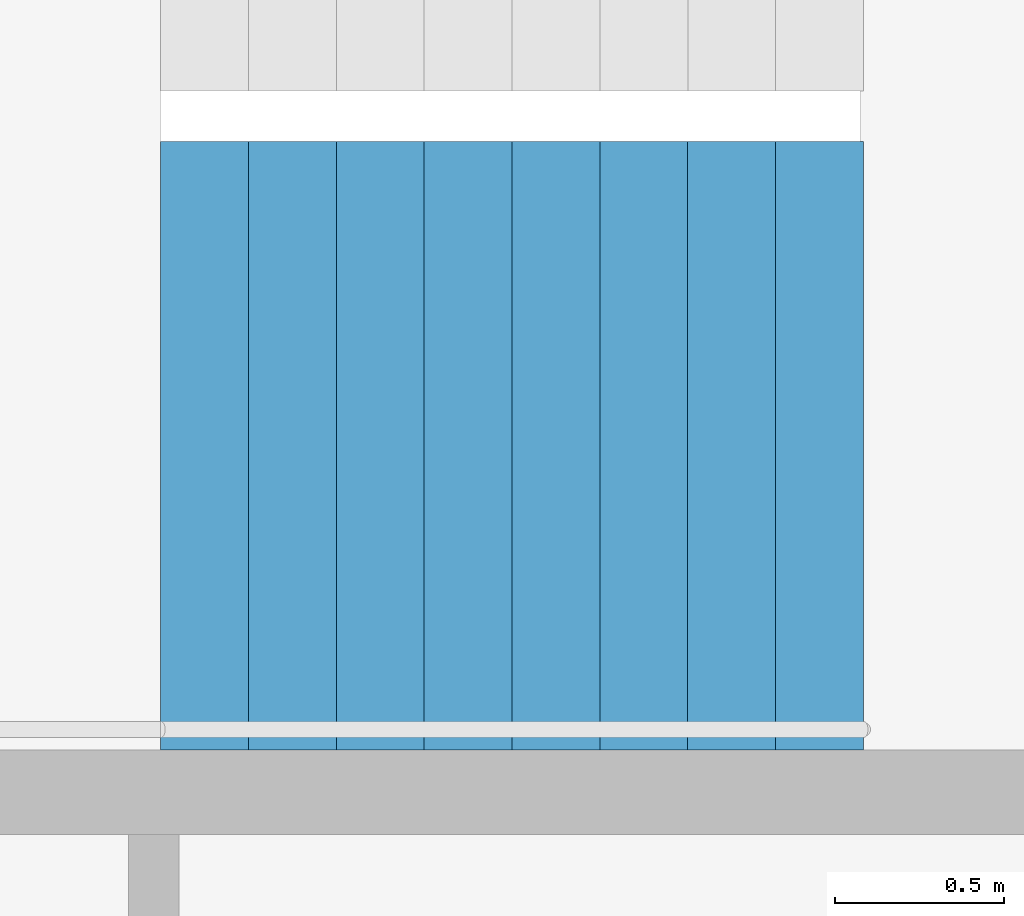
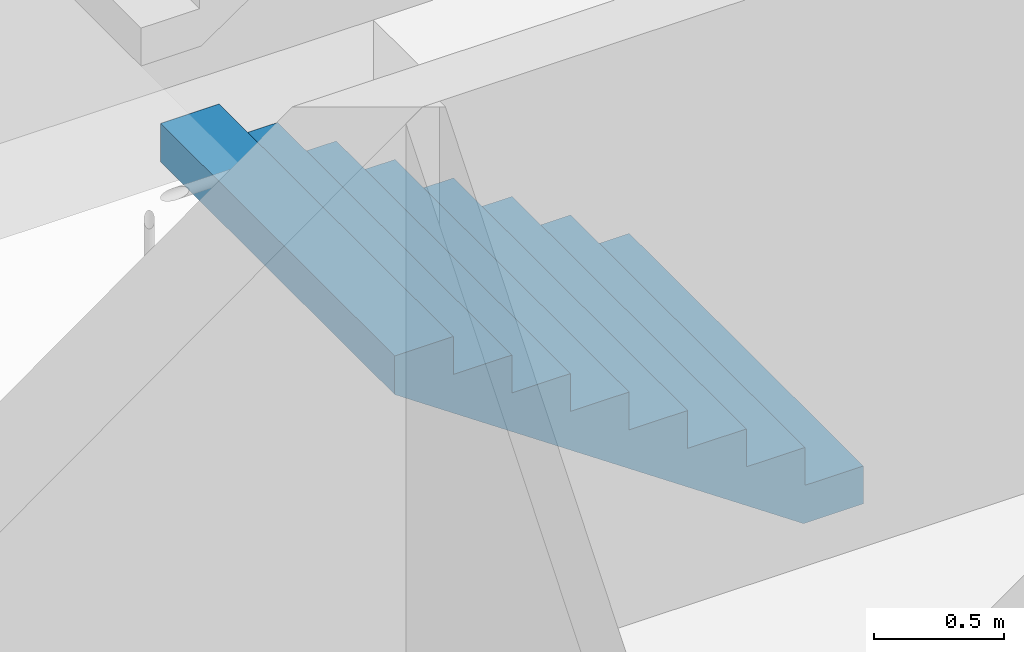
# One storey, part 24 of 26: 1 stair flight, 1 element without a shape of its own.
"""IFC4 building model written with IfcOpenShell, lengths in metres."""

from ifc_helpers import new_model, si_unit, direction, frame, origin, place, context, subcontext, project, spatial, triangles, material, type_object, element, aggregate, save


model = new_model("IFC4")

# Units and contexts
model_context = context("Model", 3, precision=1e-05, world=origin(), true_north=direction((0.0, 1.0)))
body_context = subcontext(model_context, "Body", "Model", "MODEL_VIEW")
ifc_project = project(units=[si_unit("LENGTHUNIT", "METRE"), si_unit("AREAUNIT", "SQUARE_METRE"), si_unit("VOLUMEUNIT", "CUBIC_METRE"), si_unit("PLANEANGLEUNIT", "RADIAN"), si_unit("MASSUNIT", "GRAM", prefix="KILO")], contexts=[model_context])

# Site, building, storey
site_placement = place(None, origin())
site = spatial("IfcSite", under=ifc_project, at=site_placement, CompositionType="ELEMENT")
building_placement = place(site_placement, origin())
building = spatial("IfcBuilding", under=site, at=building_placement, Name="Hakoniwa Tower and Hamabe Station Hall", CompositionType="ELEMENT")
storey_placement = place(building_placement, frame((0.0, 0.0, 251.800048828125)))
storey = spatial("IfcBuildingStorey", under=building, at=storey_placement, Name="L71", CompositionType="ELEMENT", Elevation=251.800048828125)

# Stair, stair flight
ifc_material_1 = material(Name="Concrete C40", Category="concrete")
stair_type = type_object("IfcStairType", Name="ESCAPE STAIR 1800", PredefinedType="HALF_TURN_STAIR", material=ifc_material_1)
stair_placement = place(storey_placement, origin())
stair = element("IfcStair", 1, at=stair_placement, inside=storey, type_object=stair_type, Name="Escape stair ST-3 L71", PredefinedType="HALF_TURN_STAIR")
ifc_material_2 = material(Name="Concrete C40", Category="concrete")
stair_flight_type = type_object("IfcStairFlightType", Name="STAIR FLIGHT 1800", PredefinedType="STRAIGHT", material=ifc_material_2)
stair_flight_placement = place(storey_placement, frame((24.39990234375, 4.64990234375, 0.0), z_axis=(0.0, 0.0, 1.0), x_axis=(-1.0, 0.0, 0.0)))
stair_flight = element("IfcStairFlight", 2, at=stair_flight_placement, type_object=stair_flight_type, Name="ST-3 flight 1", NumberOfRisers=9, NumberOfTreads=8, PredefinedType="STRAIGHT", RiserHeight=0.177777778, TreadLength=0.26, context=body_context, shape_type="Tessellation", body=[
    triangles([(0.0, 0.89990234375, 0.0), (0.260009765625, 0.89990234375, 0.0), (0.265625, 0.89990234375, 0.0), (0.52001953125, 0.89990234375, 0.174072265625), (0.780029296875, 0.89990234375, 0.351806640625), (1.0400390625, 0.89990234375, 0.529541015625), (1.300048828125, 0.89990234375, 0.707275390625), (1.56005859375, 0.89990234375, 0.885009765625), (1.820068359375, 0.89990234375, 1.062744140625), (2.080078125, 0.89990234375, 1.24072265625), (2.080078125, 0.89990234375, 1.422119140625), (1.820068359375, 0.89990234375, 1.422119140625), (1.820068359375, 0.89990234375, 1.244384765625), (1.56005859375, 0.89990234375, 1.244384765625), (1.56005859375, 0.89990234375, 1.066650390625), (1.300048828125, 0.89990234375, 1.066650390625), (1.300048828125, 0.89990234375, 0.888916015625), (1.0400390625, 0.89990234375, 0.888916015625), (1.0400390625, 0.89990234375, 0.711181640625), (0.780029296875, 0.89990234375, 0.711181640625), (0.780029296875, 0.89990234375, 0.533447265625), (0.52001953125, 0.89990234375, 0.533447265625), (0.52001953125, 0.89990234375, 0.35546875), (0.265625, 0.89990234375, 0.35546875), (0.260009765625, 0.89990234375, 0.35546875), (0.260009765625, 0.89990234375, 0.177734375), (0.0, 0.89990234375, 0.177734375), (0.0, 0.06005859375, 0.0), (0.260009765625, 0.06005859375, 0.0), (0.265625, 0.06005859375, 0.0), (0.52001953125, 0.06005859375, 0.174072265625), (0.780029296875, 0.06005859375, 0.351806640625), (1.0400390625, 0.06005859375, 0.529541015625), (1.300048828125, 0.06005859375, 0.707275390625), (1.56005859375, 0.06005859375, 0.885009765625), (1.820068359375, 0.06005859375, 1.062744140625), (2.080078125, 0.06005859375, 1.24072265625), (2.080078125, 0.06005859375, 1.422119140625), (1.820068359375, 0.06005859375, 1.422119140625), (1.820068359375, 0.06005859375, 1.244384765625), (1.56005859375, 0.06005859375, 1.244384765625), (1.56005859375, 0.06005859375, 1.066650390625), (1.300048828125, 0.06005859375, 1.066650390625), (1.300048828125, 0.06005859375, 0.888916015625), (1.0400390625, 0.06005859375, 0.888916015625), (1.0400390625, 0.06005859375, 0.711181640625), (0.780029296875, 0.06005859375, 0.711181640625), (0.780029296875, 0.06005859375, 0.533447265625), (0.52001953125, 0.06005859375, 0.533447265625), (0.52001953125, 0.06005859375, 0.35546875), (0.265625, 0.06005859375, 0.35546875), (0.260009765625, 0.06005859375, 0.35546875), (0.260009765625, 0.06005859375, 0.177734375), (0.0, 0.06005859375, 0.177734375), (0.0, 0.04296875, 0.0), (0.260009765625, 0.04296875, 0.0), (0.265625, 0.04296875, 0.0), (0.52001953125, 0.04296875, 0.174072265625), (0.780029296875, 0.04296875, 0.351806640625), (1.0400390625, 0.04296875, 0.529541015625), (1.300048828125, 0.04296875, 0.707275390625), (1.56005859375, 0.04296875, 0.885009765625), (1.820068359375, 0.04296875, 1.062744140625), (2.080078125, 0.04296875, 1.24072265625), (2.080078125, 0.04296875, 1.422119140625), (1.820068359375, 0.04296875, 1.422119140625), (1.820068359375, 0.04296875, 1.244384765625), (1.56005859375, 0.04296875, 1.244384765625), (1.56005859375, 0.04296875, 1.066650390625), (1.300048828125, 0.04296875, 1.066650390625), (1.300048828125, 0.04296875, 0.888916015625), (1.0400390625, 0.04296875, 0.888916015625), (1.0400390625, 0.04296875, 0.711181640625), (0.780029296875, 0.04296875, 0.711181640625), (0.780029296875, 0.04296875, 0.533447265625), (0.52001953125, 0.04296875, 0.533447265625), (0.52001953125, 0.04296875, 0.35546875), (0.265625, 0.04296875, 0.35546875), (0.260009765625, 0.04296875, 0.35546875), (0.260009765625, 0.04296875, 0.177734375), (0.0, 0.04296875, 0.177734375), (0.0, 0.025634765625, 0.0), (0.260009765625, 0.025634765625, 0.0), (0.265625, 0.025634765625, 0.0), (0.52001953125, 0.025634765625, 0.174072265625), (0.780029296875, 0.025634765625, 0.351806640625), (1.0400390625, 0.025634765625, 0.529541015625), (1.300048828125, 0.025634765625, 0.707275390625), (1.56005859375, 0.025634765625, 0.885009765625), (1.820068359375, 0.025634765625, 1.062744140625), (2.080078125, 0.025634765625, 1.24072265625), (2.080078125, 0.025634765625, 1.422119140625), (1.820068359375, 0.025634765625, 1.422119140625), (1.820068359375, 0.025634765625, 1.244384765625), (1.56005859375, 0.025634765625, 1.244384765625), (1.56005859375, 0.025634765625, 1.066650390625), (1.300048828125, 0.025634765625, 1.066650390625), (1.300048828125, 0.025634765625, 0.888916015625), (1.0400390625, 0.025634765625, 0.888916015625), (1.0400390625, 0.025634765625, 0.711181640625), (0.780029296875, 0.025634765625, 0.711181640625), (0.780029296875, 0.025634765625, 0.533447265625), (0.52001953125, 0.025634765625, 0.533447265625), (0.52001953125, 0.025634765625, 0.35546875), (0.265625, 0.025634765625, 0.35546875), (0.260009765625, 0.025634765625, 0.35546875), (0.260009765625, 0.025634765625, 0.177734375), (0.0, 0.025634765625, 0.177734375), (0.0, 0.008544921875, 0.0), (0.260009765625, 0.008544921875, 0.0), (0.265625, 0.008544921875, 0.0), (0.52001953125, 0.008544921875, 0.174072265625), (0.780029296875, 0.008544921875, 0.351806640625), (1.0400390625, 0.008544921875, 0.529541015625), (1.300048828125, 0.008544921875, 0.707275390625), (1.56005859375, 0.008544921875, 0.885009765625), (1.820068359375, 0.008544921875, 1.062744140625), (2.080078125, 0.008544921875, 1.24072265625), (2.080078125, 0.008544921875, 1.422119140625), (1.820068359375, 0.008544921875, 1.422119140625), (1.820068359375, 0.008544921875, 1.244384765625), (1.56005859375, 0.008544921875, 1.244384765625), (1.56005859375, 0.008544921875, 1.066650390625), (1.300048828125, 0.008544921875, 1.066650390625), (1.300048828125, 0.008544921875, 0.888916015625), (1.0400390625, 0.008544921875, 0.888916015625), (1.0400390625, 0.008544921875, 0.711181640625), (0.780029296875, 0.008544921875, 0.711181640625), (0.780029296875, 0.008544921875, 0.533447265625), (0.52001953125, 0.008544921875, 0.533447265625), (0.52001953125, 0.008544921875, 0.35546875), (0.265625, 0.008544921875, 0.35546875), (0.260009765625, 0.008544921875, 0.35546875), (0.260009765625, 0.008544921875, 0.177734375), (0.0, 0.008544921875, 0.177734375), (0.0, -0.008544921875, 0.0), (0.260009765625, -0.008544921875, 0.0), (0.265625, -0.008544921875, 0.0), (0.52001953125, -0.008544921875, 0.174072265625), (0.780029296875, -0.008544921875, 0.351806640625), (1.0400390625, -0.008544921875, 0.529541015625), (1.300048828125, -0.008544921875, 0.707275390625), (1.56005859375, -0.008544921875, 0.885009765625), (1.820068359375, -0.008544921875, 1.062744140625), (2.080078125, -0.008544921875, 1.24072265625), (2.080078125, -0.008544921875, 1.422119140625), (1.820068359375, -0.008544921875, 1.422119140625), (1.820068359375, -0.008544921875, 1.244384765625), (1.56005859375, -0.008544921875, 1.244384765625), (1.56005859375, -0.008544921875, 1.066650390625), (1.300048828125, -0.008544921875, 1.066650390625), (1.300048828125, -0.008544921875, 0.888916015625), (1.0400390625, -0.008544921875, 0.888916015625), (1.0400390625, -0.008544921875, 0.711181640625), (0.780029296875, -0.008544921875, 0.711181640625), (0.780029296875, -0.008544921875, 0.533447265625), (0.52001953125, -0.008544921875, 0.533447265625), (0.52001953125, -0.008544921875, 0.35546875), (0.265625, -0.008544921875, 0.35546875), (0.260009765625, -0.008544921875, 0.35546875), (0.260009765625, -0.008544921875, 0.177734375), (0.0, -0.008544921875, 0.177734375), (0.0, -0.025634765625, 0.0), (0.260009765625, -0.025634765625, 0.0), (0.265625, -0.025634765625, 0.0), (0.52001953125, -0.025634765625, 0.174072265625), (0.780029296875, -0.025634765625, 0.351806640625), (1.0400390625, -0.025634765625, 0.529541015625), (1.300048828125, -0.025634765625, 0.707275390625), (1.56005859375, -0.025634765625, 0.885009765625), (1.820068359375, -0.025634765625, 1.062744140625), (2.080078125, -0.025634765625, 1.24072265625), (2.080078125, -0.025634765625, 1.422119140625), (1.820068359375, -0.025634765625, 1.422119140625), (1.820068359375, -0.025634765625, 1.244384765625), (1.56005859375, -0.025634765625, 1.244384765625), (1.56005859375, -0.025634765625, 1.066650390625), (1.300048828125, -0.025634765625, 1.066650390625), (1.300048828125, -0.025634765625, 0.888916015625), (1.0400390625, -0.025634765625, 0.888916015625), (1.0400390625, -0.025634765625, 0.711181640625), (0.780029296875, -0.025634765625, 0.711181640625), (0.780029296875, -0.025634765625, 0.533447265625), (0.52001953125, -0.025634765625, 0.533447265625), (0.52001953125, -0.025634765625, 0.35546875), (0.265625, -0.025634765625, 0.35546875), (0.260009765625, -0.025634765625, 0.35546875), (0.260009765625, -0.025634765625, 0.177734375), (0.0, -0.025634765625, 0.177734375), (0.0, -0.04296875, 0.0), (0.260009765625, -0.04296875, 0.0), (0.265625, -0.04296875, 0.0), (0.52001953125, -0.04296875, 0.174072265625), (0.780029296875, -0.04296875, 0.351806640625), (1.0400390625, -0.04296875, 0.529541015625), (1.300048828125, -0.04296875, 0.707275390625), (1.56005859375, -0.04296875, 0.885009765625), (1.820068359375, -0.04296875, 1.062744140625), (2.080078125, -0.04296875, 1.24072265625), (2.080078125, -0.04296875, 1.422119140625), (1.820068359375, -0.04296875, 1.422119140625), (1.820068359375, -0.04296875, 1.244384765625), (1.56005859375, -0.04296875, 1.244384765625), (1.56005859375, -0.04296875, 1.066650390625), (1.300048828125, -0.04296875, 1.066650390625), (1.300048828125, -0.04296875, 0.888916015625), (1.0400390625, -0.04296875, 0.888916015625), (1.0400390625, -0.04296875, 0.711181640625), (0.780029296875, -0.04296875, 0.711181640625), (0.780029296875, -0.04296875, 0.533447265625), (0.52001953125, -0.04296875, 0.533447265625), (0.52001953125, -0.04296875, 0.35546875), (0.265625, -0.04296875, 0.35546875), (0.260009765625, -0.04296875, 0.35546875), (0.260009765625, -0.04296875, 0.177734375), (0.0, -0.04296875, 0.177734375), (0.0, -0.06005859375, 0.0), (0.260009765625, -0.06005859375, 0.0), (0.265625, -0.06005859375, 0.0), (0.52001953125, -0.06005859375, 0.174072265625), (0.780029296875, -0.06005859375, 0.351806640625), (1.0400390625, -0.06005859375, 0.529541015625), (1.300048828125, -0.06005859375, 0.707275390625), (1.56005859375, -0.06005859375, 0.885009765625), (1.820068359375, -0.06005859375, 1.062744140625), (2.080078125, -0.06005859375, 1.24072265625), (2.080078125, -0.06005859375, 1.422119140625), (1.820068359375, -0.06005859375, 1.422119140625), (1.820068359375, -0.06005859375, 1.244384765625), (1.56005859375, -0.06005859375, 1.244384765625), (1.56005859375, -0.06005859375, 1.066650390625), (1.300048828125, -0.06005859375, 1.066650390625), (1.300048828125, -0.06005859375, 0.888916015625), (1.0400390625, -0.06005859375, 0.888916015625), (1.0400390625, -0.06005859375, 0.711181640625), (0.780029296875, -0.06005859375, 0.711181640625), (0.780029296875, -0.06005859375, 0.533447265625), (0.52001953125, -0.06005859375, 0.533447265625), (0.52001953125, -0.06005859375, 0.35546875), (0.265625, -0.06005859375, 0.35546875), (0.260009765625, -0.06005859375, 0.35546875), (0.260009765625, -0.06005859375, 0.177734375), (0.0, -0.06005859375, 0.177734375), (0.0, -0.89990234375, 0.0), (0.260009765625, -0.89990234375, 0.0), (0.265625, -0.89990234375, 0.0), (0.52001953125, -0.89990234375, 0.174072265625), (0.780029296875, -0.89990234375, 0.351806640625), (1.0400390625, -0.89990234375, 0.529541015625), (1.300048828125, -0.89990234375, 0.707275390625), (1.56005859375, -0.89990234375, 0.885009765625), (1.820068359375, -0.89990234375, 1.062744140625), (2.080078125, -0.89990234375, 1.24072265625), (2.080078125, -0.89990234375, 1.422119140625), (1.820068359375, -0.89990234375, 1.422119140625), (1.820068359375, -0.89990234375, 1.244384765625), (1.56005859375, -0.89990234375, 1.244384765625), (1.56005859375, -0.89990234375, 1.066650390625), (1.300048828125, -0.89990234375, 1.066650390625), (1.300048828125, -0.89990234375, 0.888916015625), (1.0400390625, -0.89990234375, 0.888916015625), (1.0400390625, -0.89990234375, 0.711181640625), (0.780029296875, -0.89990234375, 0.711181640625), (0.780029296875, -0.89990234375, 0.533447265625), (0.52001953125, -0.89990234375, 0.533447265625), (0.52001953125, -0.89990234375, 0.35546875), (0.265625, -0.89990234375, 0.35546875), (0.260009765625, -0.89990234375, 0.35546875), (0.260009765625, -0.89990234375, 0.177734375), (0.0, -0.89990234375, 0.177734375)], [[2, 27, 26], [245, 269, 270], [2, 1, 27], [245, 270, 244], [3, 25, 24], [246, 267, 268], [3, 26, 25], [246, 268, 269], [3, 2, 26], [246, 269, 245], [4, 24, 23], [247, 266, 267], [4, 3, 24], [247, 267, 246], [5, 22, 21], [248, 264, 265], [5, 23, 22], [248, 265, 266], [5, 4, 23], [248, 266, 247], [6, 20, 19], [249, 262, 263], [6, 21, 20], [249, 263, 264], [6, 5, 21], [249, 264, 248], [7, 18, 17], [250, 260, 261], [7, 19, 18], [250, 261, 262], [7, 6, 19], [250, 262, 249], [8, 16, 15], [251, 258, 259], [8, 17, 16], [251, 259, 260], [8, 7, 17], [251, 260, 250], [9, 14, 13], [252, 256, 257], [9, 15, 14], [252, 257, 258], [9, 8, 15], [252, 258, 251], [10, 12, 11], [253, 254, 255], [10, 13, 12], [253, 255, 256], [10, 9, 13], [253, 256, 252], [1, 2, 29], [1, 29, 28], [28, 29, 56], [28, 56, 55], [55, 56, 83], [55, 83, 82], [82, 83, 110], [82, 110, 109], [109, 110, 137], [109, 137, 136], [136, 137, 164], [136, 164, 163], [163, 164, 191], [163, 191, 190], [190, 191, 218], [190, 218, 217], [217, 218, 245], [217, 245, 244], [2, 3, 30], [2, 30, 29], [29, 30, 57], [29, 57, 56], [56, 57, 84], [56, 84, 83], [83, 84, 111], [83, 111, 110], [110, 111, 138], [110, 138, 137], [137, 138, 165], [137, 165, 164], [164, 165, 192], [164, 192, 191], [191, 192, 219], [191, 219, 218], [218, 219, 246], [218, 246, 245], [3, 4, 31], [3, 31, 30], [30, 31, 58], [30, 58, 57], [57, 58, 85], [57, 85, 84], [84, 85, 112], [84, 112, 111], [111, 112, 139], [111, 139, 138], [138, 139, 166], [138, 166, 165], [165, 166, 193], [165, 193, 192], [192, 193, 220], [192, 220, 219], [219, 220, 247], [219, 247, 246], [4, 5, 32], [4, 32, 31], [31, 32, 59], [31, 59, 58], [58, 59, 86], [58, 86, 85], [85, 86, 113], [85, 113, 112], [112, 113, 140], [112, 140, 139], [139, 140, 167], [139, 167, 166], [166, 167, 194], [166, 194, 193], [193, 194, 221], [193, 221, 220], [220, 221, 248], [220, 248, 247], [5, 6, 33], [5, 33, 32], [32, 33, 60], [32, 60, 59], [59, 60, 87], [59, 87, 86], [86, 87, 114], [86, 114, 113], [113, 114, 141], [113, 141, 140], [140, 141, 168], [140, 168, 167], [167, 168, 195], [167, 195, 194], [194, 195, 222], [194, 222, 221], [221, 222, 249], [221, 249, 248], [6, 7, 34], [6, 34, 33], [33, 34, 61], [33, 61, 60], [60, 61, 88], [60, 88, 87], [87, 88, 115], [87, 115, 114], [114, 115, 142], [114, 142, 141], [141, 142, 169], [141, 169, 168], [168, 169, 196], [168, 196, 195], [195, 196, 223], [195, 223, 222], [222, 223, 250], [222, 250, 249], [7, 8, 35], [7, 35, 34], [34, 35, 62], [34, 62, 61], [61, 62, 89], [61, 89, 88], [88, 89, 116], [88, 116, 115], [115, 116, 143], [115, 143, 142], [142, 143, 170], [142, 170, 169], [169, 170, 197], [169, 197, 196], [196, 197, 224], [196, 224, 223], [223, 224, 251], [223, 251, 250], [8, 9, 36], [8, 36, 35], [35, 36, 63], [35, 63, 62], [62, 63, 90], [62, 90, 89], [89, 90, 117], [89, 117, 116], [116, 117, 144], [116, 144, 143], [143, 144, 171], [143, 171, 170], [170, 171, 198], [170, 198, 197], [197, 198, 225], [197, 225, 224], [224, 225, 252], [224, 252, 251], [9, 10, 37], [9, 37, 36], [36, 37, 64], [36, 64, 63], [63, 64, 91], [63, 91, 90], [90, 91, 118], [90, 118, 117], [117, 118, 145], [117, 145, 144], [144, 145, 172], [144, 172, 171], [171, 172, 199], [171, 199, 198], [198, 199, 226], [198, 226, 225], [225, 226, 253], [225, 253, 252], [10, 11, 38], [10, 38, 37], [37, 38, 65], [37, 65, 64], [64, 65, 92], [64, 92, 91], [91, 92, 119], [91, 119, 118], [118, 119, 146], [118, 146, 145], [145, 146, 173], [145, 173, 172], [172, 173, 200], [172, 200, 199], [199, 200, 227], [199, 227, 226], [226, 227, 254], [226, 254, 253], [11, 12, 39], [11, 39, 38], [38, 39, 66], [38, 66, 65], [65, 66, 93], [65, 93, 92], [92, 93, 120], [92, 120, 119], [119, 120, 147], [119, 147, 146], [146, 147, 174], [146, 174, 173], [173, 174, 201], [173, 201, 200], [200, 201, 228], [200, 228, 227], [227, 228, 255], [227, 255, 254], [12, 13, 40], [12, 40, 39], [39, 40, 67], [39, 67, 66], [66, 67, 94], [66, 94, 93], [93, 94, 121], [93, 121, 120], [120, 121, 148], [120, 148, 147], [147, 148, 175], [147, 175, 174], [174, 175, 202], [174, 202, 201], [201, 202, 229], [201, 229, 228], [228, 229, 256], [228, 256, 255], [13, 14, 41], [13, 41, 40], [40, 41, 68], [40, 68, 67], [67, 68, 95], [67, 95, 94], [94, 95, 122], [94, 122, 121], [121, 122, 149], [121, 149, 148], [148, 149, 176], [148, 176, 175], [175, 176, 203], [175, 203, 202], [202, 203, 230], [202, 230, 229], [229, 230, 257], [229, 257, 256], [14, 15, 42], [14, 42, 41], [41, 42, 69], [41, 69, 68], [68, 69, 96], [68, 96, 95], [95, 96, 123], [95, 123, 122], [122, 123, 150], [122, 150, 149], [149, 150, 177], [149, 177, 176], [176, 177, 204], [176, 204, 203], [203, 204, 231], [203, 231, 230], [230, 231, 258], [230, 258, 257], [15, 16, 43], [15, 43, 42], [42, 43, 70], [42, 70, 69], [69, 70, 97], [69, 97, 96], [96, 97, 124], [96, 124, 123], [123, 124, 151], [123, 151, 150], [150, 151, 178], [150, 178, 177], [177, 178, 205], [177, 205, 204], [204, 205, 232], [204, 232, 231], [231, 232, 259], [231, 259, 258], [16, 17, 44], [16, 44, 43], [43, 44, 71], [43, 71, 70], [70, 71, 98], [70, 98, 97], [97, 98, 125], [97, 125, 124], [124, 125, 152], [124, 152, 151], [151, 152, 179], [151, 179, 178], [178, 179, 206], [178, 206, 205], [205, 206, 233], [205, 233, 232], [232, 233, 260], [232, 260, 259], [17, 18, 45], [17, 45, 44], [44, 45, 72], [44, 72, 71], [71, 72, 99], [71, 99, 98], [98, 99, 126], [98, 126, 125], [125, 126, 153], [125, 153, 152], [152, 153, 180], [152, 180, 179], [179, 180, 207], [179, 207, 206], [206, 207, 234], [206, 234, 233], [233, 234, 261], [233, 261, 260], [18, 19, 46], [18, 46, 45], [45, 46, 73], [45, 73, 72], [72, 73, 100], [72, 100, 99], [99, 100, 127], [99, 127, 126], [126, 127, 154], [126, 154, 153], [153, 154, 181], [153, 181, 180], [180, 181, 208], [180, 208, 207], [207, 208, 235], [207, 235, 234], [234, 235, 262], [234, 262, 261], [19, 20, 47], [19, 47, 46], [46, 47, 74], [46, 74, 73], [73, 74, 101], [73, 101, 100], [100, 101, 128], [100, 128, 127], [127, 128, 155], [127, 155, 154], [154, 155, 182], [154, 182, 181], [181, 182, 209], [181, 209, 208], [208, 209, 236], [208, 236, 235], [235, 236, 263], [235, 263, 262], [20, 21, 48], [20, 48, 47], [47, 48, 75], [47, 75, 74], [74, 75, 102], [74, 102, 101], [101, 102, 129], [101, 129, 128], [128, 129, 156], [128, 156, 155], [155, 156, 183], [155, 183, 182], [182, 183, 210], [182, 210, 209], [209, 210, 237], [209, 237, 236], [236, 237, 264], [236, 264, 263], [21, 22, 49], [21, 49, 48], [48, 49, 76], [48, 76, 75], [75, 76, 103], [75, 103, 102], [102, 103, 130], [102, 130, 129], [129, 130, 157], [129, 157, 156], [156, 157, 184], [156, 184, 183], [183, 184, 211], [183, 211, 210], [210, 211, 238], [210, 238, 237], [237, 238, 265], [237, 265, 264], [22, 23, 50], [22, 50, 49], [49, 50, 77], [49, 77, 76], [76, 77, 104], [76, 104, 103], [103, 104, 131], [103, 131, 130], [130, 131, 158], [130, 158, 157], [157, 158, 185], [157, 185, 184], [184, 185, 212], [184, 212, 211], [211, 212, 239], [211, 239, 238], [238, 239, 266], [238, 266, 265], [23, 24, 51], [23, 51, 50], [50, 51, 78], [50, 78, 77], [77, 78, 105], [77, 105, 104], [104, 105, 132], [104, 132, 131], [131, 132, 159], [131, 159, 158], [158, 159, 186], [158, 186, 185], [185, 186, 213], [185, 213, 212], [212, 213, 240], [212, 240, 239], [239, 240, 267], [239, 267, 266], [24, 25, 52], [24, 52, 51], [51, 52, 79], [51, 79, 78], [78, 79, 106], [78, 106, 105], [105, 106, 133], [105, 133, 132], [132, 133, 160], [132, 160, 159], [159, 160, 187], [159, 187, 186], [186, 187, 214], [186, 214, 213], [213, 214, 241], [213, 241, 240], [240, 241, 268], [240, 268, 267], [25, 26, 53], [25, 53, 52], [52, 53, 80], [52, 80, 79], [79, 80, 107], [79, 107, 106], [106, 107, 134], [106, 134, 133], [133, 134, 161], [133, 161, 160], [160, 161, 188], [160, 188, 187], [187, 188, 215], [187, 215, 214], [214, 215, 242], [214, 242, 241], [241, 242, 269], [241, 269, 268], [26, 27, 54], [26, 54, 53], [53, 54, 81], [53, 81, 80], [80, 81, 108], [80, 108, 107], [107, 108, 135], [107, 135, 134], [134, 135, 162], [134, 162, 161], [161, 162, 189], [161, 189, 188], [188, 189, 216], [188, 216, 215], [215, 216, 243], [215, 243, 242], [242, 243, 270], [242, 270, 269], [27, 1, 28], [27, 28, 54], [54, 28, 55], [54, 55, 81], [81, 55, 82], [81, 82, 108], [108, 82, 109], [108, 109, 135], [135, 109, 136], [135, 136, 162], [162, 136, 163], [162, 163, 189], [189, 163, 190], [189, 190, 216], [216, 190, 217], [216, 217, 243], [243, 217, 244], [243, 244, 270]], closed=True),
])
aggregate(stair, [stair_flight])

save(model, "model.ifc")
